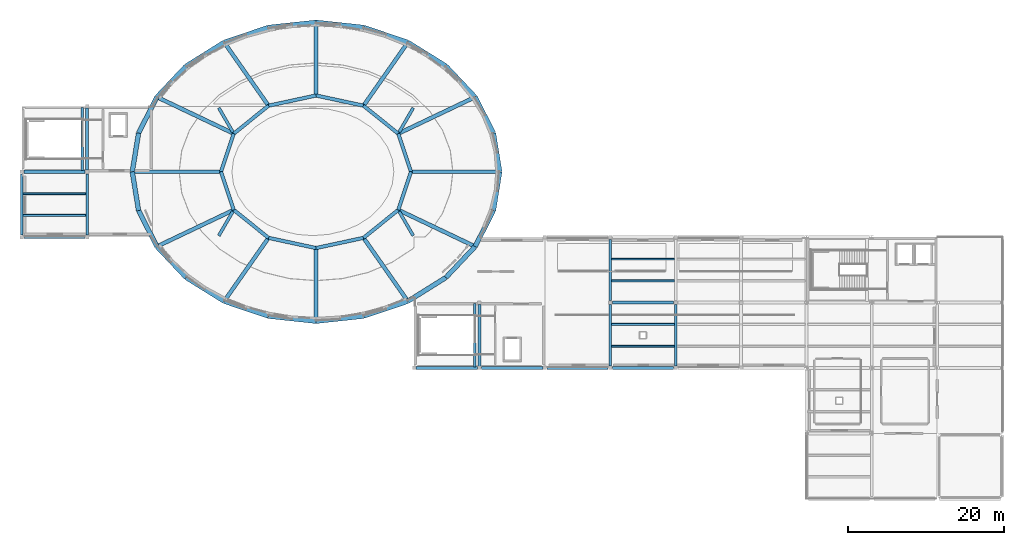
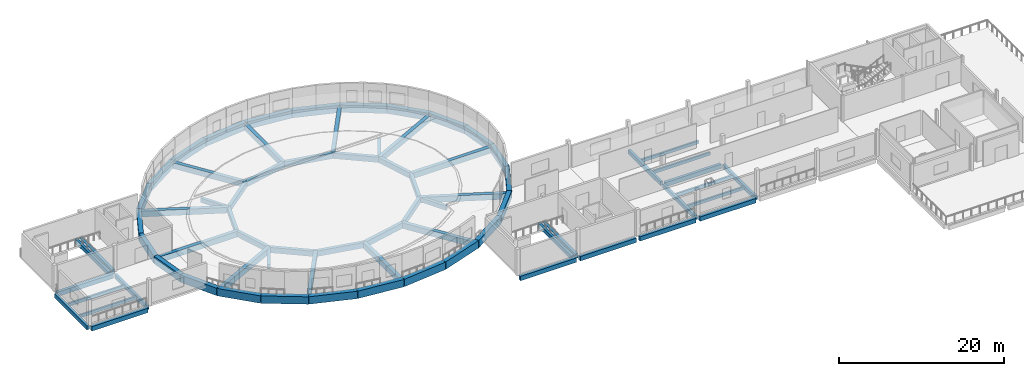
# One storey, part 4 of 16: 74 beams.
"""IFC4 building model written with IfcOpenShell, lengths in metres."""

from ifc_helpers import new_model, si_unit, derived_unit, direction, frame, origin, origin_2d, place, context, subcontext, project, spatial, rectangle, extrude, material, material_profile, profile_set, type_object, element, save


model = new_model("IFC4")

# Units and contexts
model_context = context("Model", 3, precision=1e-05, world=origin(), true_north=direction((0.0, 1.0)))
body_context = subcontext(model_context, "Body", "Model", "MODEL_VIEW")
ifc_project = project(units=[si_unit("LENGTHUNIT", "METRE"), si_unit("AREAUNIT", "SQUARE_METRE"), si_unit("VOLUMEUNIT", "CUBIC_METRE"), si_unit("PLANEANGLEUNIT", "RADIAN"), si_unit("MASSUNIT", "GRAM", prefix="KILO"), derived_unit("THERMALTRANSMITTANCEUNIT", [(si_unit("POWERUNIT", "WATT"), 1), (si_unit("LENGTHUNIT", "METRE"), -2), (si_unit("THERMODYNAMICTEMPERATUREUNIT", "KELVIN"), -1)])], contexts=[model_context])

# Site, building, storey
site_placement = place(None, origin())
site = spatial("IfcSite", under=ifc_project, at=site_placement, CompositionType="ELEMENT")
building_placement = place(site_placement, origin())
building = spatial("IfcBuilding", under=site, at=building_placement, Name="Elbkamm Science Centre", CompositionType="ELEMENT")
storey_placement = place(building_placement, frame((0.0, 0.0, 21.60009765625)))
storey = spatial("IfcBuildingStorey", under=building, at=storey_placement, Name="L05", CompositionType="ELEMENT", Elevation=21.60009765625)

# Beams
ifc_material_1 = material(Name="Concrete C40/50", Category="concrete")
ifc_material_profile_1 = material_profile(ifc_material_1, rectangle(XDim=0.35009765625, YDim=0.60009765625, at=origin_2d()), Name="RC 350x600")
ifc_profile_set_1 = profile_set([ifc_material_profile_1], Name="Concrete C40/50")
beam_type_1 = type_object("IfcBeamType", Name="BM-RC-350x600", PredefinedType="BEAM", material=ifc_profile_set_1)
for number, where, z_axis, x_axis, name in (
    (1, (25.199951171875, 59.074951171875, -0.56005859375), (0.0, 1.0, 0.0), (-1.0, 0.0, 0.0), "L05 Primary Y-Girder 001"),
    (2, (33.60009765625, 59.074951171875, -0.56005859375), (0.0, 1.0, 0.0), (-1.0, 0.0, 0.0), "L05 Primary Y-Girder 002"),
    (3, (100.800048828125, 42.27490234375, -0.56005859375), (0.0, 1.0, 0.0), (-1.0, 0.0, 0.0), "L05 Primary Y-Girder 003"),
):
    element("IfcBeam", number, at=place(storey_placement, frame(where, z_axis=z_axis, x_axis=x_axis)), inside=storey, type_object=beam_type_1, Name=name, PredefinedType="BEAM", context=body_context, shape_type="SweptSolid", body=[
        extrude(rectangle(XDim=0.35009765625, YDim=0.60009765625, at=origin_2d()), origin(), (0.0, 0.0, 1.0), 7.85009765625),
    ])
beam_1_placement = place(storey_placement, frame((100.800048828125, 50.675048828125, -0.56005859375), z_axis=(0.0, 1.0, 0.0), x_axis=(-1.0, 0.0, 0.0)))
element("IfcBeam", 4, at=beam_1_placement, inside=storey, type_object=beam_type_1, Name="L05 Primary Y-Girder 004", PredefinedType="BEAM", context=body_context, shape_type="SweptSolid", body=[
    extrude(rectangle(XDim=0.35009765625, YDim=0.60009765625, at=origin_2d()), origin(), (0.0, 0.0, 1.0), 7.849853515625),
])
beam_2_placement = place(storey_placement, frame((109.199951171875, 42.27490234375, -0.56005859375), z_axis=(0.0, 1.0, 0.0), x_axis=(-1.0, 0.0, 0.0)))
element("IfcBeam", 5, at=beam_2_placement, inside=storey, type_object=beam_type_1, Name="L05 Primary Y-Girder 005", PredefinedType="BEAM", context=body_context, shape_type="SweptSolid", body=[
    extrude(rectangle(XDim=0.35009765625, YDim=0.60009765625, at=origin_2d()), origin(), (0.0, 0.0, 1.0), 7.85009765625),
])
beam_3_placement = place(storey_placement, frame((32.97998046875, 67.35009765625, -0.300048828125), z_axis=(0.0, 1.0, 0.0), x_axis=(-1.0, 0.0, 0.0)))
element("IfcBeam", 6, at=beam_3_placement, inside=storey, type_object=beam_type_1, Name="L05 ST-C1 Landing Trimmer Beam", PredefinedType="BEAM", context=body_context, shape_type="SweptSolid", body=[
    extrude(rectangle(XDim=0.35009765625, YDim=0.60009765625, at=origin_2d()), origin(), (0.0, 0.0, 1.0), 8.099853515625),
])
beam_4_placement = place(storey_placement, frame((83.3798828125, 42.14990234375, -0.300048828125), z_axis=(0.0, 1.0, 0.0), x_axis=(-1.0, 0.0, 0.0)))
element("IfcBeam", 7, at=beam_4_placement, inside=storey, type_object=beam_type_1, Name="L05 ST-C2 Landing Trimmer Beam", PredefinedType="BEAM", context=body_context, shape_type="SweptSolid", body=[
    extrude(rectangle(XDim=0.35009765625, YDim=0.60009765625, at=origin_2d()), origin(), (0.0, 0.0, 1.0), 8.10009765625),
])
ifc_material_profile_2 = material_profile(ifc_material_1, rectangle(XDim=0.39990234375, YDim=0.64990234375, at=origin_2d()), Name="RC 400x650")
ifc_profile_set_2 = profile_set([ifc_material_profile_2], Name="Concrete C40/50")
beam_type_2 = type_object("IfcBeamType", Name="BM-RC-400x650", PredefinedType="BEAM", material=ifc_profile_set_2)
for number, where, z_axis, x_axis, name in (
    (8, (75.875, 42.0, -0.585205078125), (1.0, 0.0, 0.0), (0.0, 1.0, 0.0), "L05 Primary X-Girder 005"),
    (9, (84.27490234375, 42.0, -0.585205078125), (1.0, 0.0, 0.0), (0.0, 1.0, 0.0), "L05 Primary X-Girder 006"),
):
    element("IfcBeam", number, at=place(storey_placement, frame(where, z_axis=z_axis, x_axis=x_axis)), inside=storey, type_object=beam_type_2, Name=name, PredefinedType="BEAM", context=body_context, shape_type="SweptSolid", body=[
        extrude(rectangle(XDim=0.39990234375, YDim=0.64990234375, at=origin_2d()), origin(), (0.0, 0.0, 1.0), 7.85009765625),
    ])
beam_5_placement = place(storey_placement, frame((92.675048828125, 42.0, -0.585205078125), z_axis=(1.0, 0.0, 0.0), x_axis=(0.0, 1.0, 0.0)))
element("IfcBeam", 10, at=beam_5_placement, inside=storey, type_object=beam_type_2, Name="L05 Primary X-Girder 007", PredefinedType="BEAM", context=body_context, shape_type="SweptSolid", body=[
    extrude(rectangle(XDim=0.39990234375, YDim=0.64990234375, at=origin_2d()), origin(), (0.0, 0.0, 1.0), 7.849853515625),
])
for number, where, z_axis, x_axis, name in (
    (11, (101.074951171875, 42.0, -0.585205078125), (1.0, 0.0, 0.0), (0.0, 1.0, 0.0), "L05 Primary X-Girder 008"),
    (12, (101.074951171875, 50.39990234375, -0.585205078125), (1.0, 0.0, 0.0), (0.0, 1.0, 0.0), "L05 Primary X-Girder 014"),
):
    element("IfcBeam", number, at=place(storey_placement, frame(where, z_axis=z_axis, x_axis=x_axis)), inside=storey, type_object=beam_type_2, Name=name, PredefinedType="BEAM", context=body_context, shape_type="SweptSolid", body=[
        extrude(rectangle(XDim=0.39990234375, YDim=0.64990234375, at=origin_2d()), origin(), (0.0, 0.0, 1.0), 7.85009765625),
    ])
for number, where, z_axis, x_axis, name in (
    (13, (25.47509765625, 58.800048828125, -0.585205078125), (1.0, 0.0, 0.0), (0.0, 1.0, 0.0), "L05 Primary X-Girder 020"),
    (14, (25.47509765625, 67.199951171875, -0.585205078125), (1.0, 0.0, 0.0), (0.0, 1.0, 0.0), "L05 Primary X-Girder 026"),
):
    element("IfcBeam", number, at=place(storey_placement, frame(where, z_axis=z_axis, x_axis=x_axis)), inside=storey, type_object=beam_type_2, Name=name, PredefinedType="BEAM", context=body_context, shape_type="SweptSolid", body=[
        extrude(rectangle(XDim=0.39990234375, YDim=0.64990234375, at=origin_2d()), origin(), (0.0, 0.0, 1.0), 7.849853515625),
    ])
beam_6_placement = place(storey_placement, frame((33.60009765625, 75.3798828125, -0.3251953125), z_axis=(0.0, -1.0, 0.0), x_axis=(1.0, 0.0, 0.0)))
element("IfcBeam", 15, at=beam_6_placement, inside=storey, type_object=beam_type_2, Name="L05 Perimeter Ring Tie Girder 068", PredefinedType="BEAM", context=body_context, shape_type="SweptSolid", body=[
    extrude(rectangle(XDim=0.39990234375, YDim=0.64990234375, at=origin_2d()), origin(), (0.0, 0.0, 1.0), 7.9599609375),
])
for number, where, z_axis, x_axis, name in (
    (16, (50.510498046875, 58.990234375, -0.3251953125), (0.502465212806, 0.864597426506, 0.0), (-0.864597426506, 0.502465212806, 0.0), "L05 Perimeter Ring Tie Girder 069"),
    (17, (50.510498046875, 75.409912109375, -0.3251953125), (0.502465212806, -0.864597426506, 0.0), (0.864597426506, 0.502465212806, 0.0), "L05 Perimeter Ring Tie Girder 070"),
    (18, (75.489501953125, 58.990234375, -0.3251953125), (-0.502465212806, 0.864597426506, 0.0), (-0.864597426506, -0.502465212806, 0.0), "L05 Perimeter Ring Tie Girder 071"),
    (19, (75.489501953125, 75.409912109375, -0.3251953125), (-0.502465212806, -0.864597426506, 0.0), (0.864597426506, -0.502465212806, 0.0), "L05 Perimeter Ring Tie Girder 072"),
):
    element("IfcBeam", number, at=place(storey_placement, frame(where, z_axis=z_axis, x_axis=x_axis)), inside=storey, type_object=beam_type_2, Name=name, PredefinedType="BEAM", context=body_context, shape_type="SweptSolid", body=[
        extrude(rectangle(XDim=0.39990234375, YDim=0.64990234375, at=origin_2d()), origin(), (0.0, 0.0, 1.0), 3.608154296875),
    ])
beam_7_placement = place(storey_placement, frame((84.0, 50.179931640625, -0.3251953125), z_axis=(0.0, -1.0, 0.0), x_axis=(1.0, 0.0, 0.0)))
element("IfcBeam", 20, at=beam_7_placement, inside=storey, type_object=beam_type_2, Name="L05 Perimeter Ring Tie Girder 073", PredefinedType="BEAM", context=body_context, shape_type="SweptSolid", body=[
    extrude(rectangle(XDim=0.39990234375, YDim=0.64990234375, at=origin_2d()), origin(), (0.0, 0.0, 1.0), 7.9599609375),
])
ifc_material_profile_3 = material_profile(ifc_material_1, rectangle(XDim=0.449951171875, YDim=0.800048828125, at=origin_2d()), Name="RC 450x800")
ifc_profile_set_3 = profile_set([ifc_material_profile_3], Name="Concrete C40/50")
beam_type_3 = type_object("IfcBeamType", Name="BM-RC-450x800", PredefinedType="BEAM", material=ifc_profile_set_3)
beam_8_placement = place(storey_placement, frame((75.199951171875, 67.199951171875, -0.400146484375), z_axis=(-0.31634119852, 0.948645479681, 0.0), x_axis=(-0.948645479681, -0.31634119852, 0.0)))
element("IfcBeam", 21, at=beam_8_placement, inside=storey, type_object=beam_type_3, Name="L05 Atrium Ring Girder 01", PredefinedType="BEAM", context=body_context, shape_type="SweptSolid", body=[
    extrude(rectangle(XDim=0.449951171875, YDim=0.800048828125, at=origin_2d()), origin(), (0.0, 0.0, 1.0), 5.16552734375),
])
beam_9_placement = place(storey_placement, frame((73.56591796875, 72.10009765625, -0.400146484375), z_axis=(-0.779653109273, 0.626211648887, 0.0), x_axis=(-0.626211648887, -0.779653109273, 0.0)))
element("IfcBeam", 22, at=beam_9_placement, inside=storey, type_object=beam_type_3, Name="L05 Atrium Ring Girder 02", PredefinedType="BEAM", context=body_context, shape_type="SweptSolid", body=[
    extrude(rectangle(XDim=0.449951171875, YDim=0.800048828125, at=origin_2d()), origin(), (0.0, 0.0, 1.0), 5.72802734375),
])
for number, where, z_axis, x_axis, name in (
    (23, (69.10009765625, 75.68701171875, -0.400146484375), (-0.97761076487, 0.210421463759, 0.0), (-0.210421463759, -0.97761076487, 0.0), "L05 Atrium Ring Girder 03"),
    (24, (63.0, 77.0, -0.400146484375), (-0.97761076487, -0.210421463759, 0.0), (0.210421463759, -0.97761076487, 0.0), "L05 Atrium Ring Girder 04"),
):
    element("IfcBeam", number, at=place(storey_placement, frame(where, z_axis=z_axis, x_axis=x_axis)), inside=storey, type_object=beam_type_3, Name=name, PredefinedType="BEAM", context=body_context, shape_type="SweptSolid", body=[
        extrude(rectangle(XDim=0.449951171875, YDim=0.800048828125, at=origin_2d()), origin(), (0.0, 0.0, 1.0), 6.23974609375),
    ])
beam_10_placement = place(storey_placement, frame((56.89990234375, 75.68701171875, -0.400146484375), z_axis=(-0.779653109273, -0.626211648887, 0.0), x_axis=(0.626211648887, -0.779653109273, 0.0)))
element("IfcBeam", 25, at=beam_10_placement, inside=storey, type_object=beam_type_3, Name="L05 Atrium Ring Girder 05", PredefinedType="BEAM", context=body_context, shape_type="SweptSolid", body=[
    extrude(rectangle(XDim=0.449951171875, YDim=0.800048828125, at=origin_2d()), origin(), (0.0, 0.0, 1.0), 5.72802734375),
])
beam_11_placement = place(storey_placement, frame((52.43408203125, 72.10009765625, -0.400146484375), z_axis=(-0.31634119852, -0.948645479681, 0.0), x_axis=(0.948645479681, -0.31634119852, 0.0)))
element("IfcBeam", 26, at=beam_11_placement, inside=storey, type_object=beam_type_3, Name="L05 Atrium Ring Girder 06", PredefinedType="BEAM", context=body_context, shape_type="SweptSolid", body=[
    extrude(rectangle(XDim=0.449951171875, YDim=0.800048828125, at=origin_2d()), origin(), (0.0, 0.0, 1.0), 5.16552734375),
])
beam_12_placement = place(storey_placement, frame((50.800048828125, 67.199951171875, -0.400146484375), z_axis=(0.316355382987, -0.948640749523, 0.0), x_axis=(0.948640749523, 0.316355382987, 0.0)))
element("IfcBeam", 27, at=beam_12_placement, inside=storey, type_object=beam_type_3, Name="L05 Atrium Ring Girder 07", PredefinedType="BEAM", context=body_context, shape_type="SweptSolid", body=[
    extrude(rectangle(XDim=0.449951171875, YDim=0.800048828125, at=origin_2d()), origin(), (0.0, 0.0, 1.0), 5.165283203125),
])
beam_13_placement = place(storey_placement, frame((52.43408203125, 62.300048828125, -0.400146484375), z_axis=(0.779632299843, -0.626237556396, 0.0), x_axis=(0.626237556396, 0.779632299843, 0.0)))
element("IfcBeam", 28, at=beam_13_placement, inside=storey, type_object=beam_type_3, Name="L05 Atrium Ring Girder 08", PredefinedType="BEAM", context=body_context, shape_type="SweptSolid", body=[
    extrude(rectangle(XDim=0.449951171875, YDim=0.800048828125, at=origin_2d()), origin(), (0.0, 0.0, 1.0), 5.72802734375),
])
for number, where, z_axis, x_axis, name in (
    (29, (56.89990234375, 58.712890625, -0.400146484375), (0.97761076487, -0.210421463759, 0.0), (0.210421463759, 0.97761076487, 0.0), "L05 Atrium Ring Girder 09"),
    (30, (63.0, 57.39990234375, -0.400146484375), (0.97761076487, 0.210421463759, 0.0), (-0.210421463759, 0.97761076487, 0.0), "L05 Atrium Ring Girder 10"),
):
    element("IfcBeam", number, at=place(storey_placement, frame(where, z_axis=z_axis, x_axis=x_axis)), inside=storey, type_object=beam_type_3, Name=name, PredefinedType="BEAM", context=body_context, shape_type="SweptSolid", body=[
        extrude(rectangle(XDim=0.449951171875, YDim=0.800048828125, at=origin_2d()), origin(), (0.0, 0.0, 1.0), 6.23974609375),
    ])
beam_14_placement = place(storey_placement, frame((69.10009765625, 58.712890625, -0.400146484375), z_axis=(0.779632299843, 0.626237556396, 0.0), x_axis=(-0.626237556396, 0.779632299843, 0.0)))
element("IfcBeam", 31, at=beam_14_placement, inside=storey, type_object=beam_type_3, Name="L05 Atrium Ring Girder 11", PredefinedType="BEAM", context=body_context, shape_type="SweptSolid", body=[
    extrude(rectangle(XDim=0.449951171875, YDim=0.800048828125, at=origin_2d()), origin(), (0.0, 0.0, 1.0), 5.72802734375),
])
beam_15_placement = place(storey_placement, frame((73.56591796875, 62.300048828125, -0.400146484375), z_axis=(0.316355382987, 0.948640749523, 0.0), x_axis=(-0.948640749523, 0.316355382987, 0.0)))
element("IfcBeam", 32, at=beam_15_placement, inside=storey, type_object=beam_type_3, Name="L05 Atrium Ring Girder 12", PredefinedType="BEAM", context=body_context, shape_type="SweptSolid", body=[
    extrude(rectangle(XDim=0.449951171875, YDim=0.800048828125, at=origin_2d()), origin(), (0.0, 0.0, 1.0), 5.165283203125),
])
ifc_material_profile_4 = material_profile(ifc_material_1, rectangle(XDim=0.5, YDim=0.85009765625, at=origin_2d()), Name="RC 500x850")
ifc_profile_set_4 = profile_set([ifc_material_profile_4], Name="Concrete C40/50")
beam_type_4 = type_object("IfcBeamType", Name="BM-RC-500x850", PredefinedType="BEAM", material=ifc_profile_set_4)
beam_16_placement = place(storey_placement, frame((75.199951171875, 67.199951171875, -0.425048828125), z_axis=(1.0, 0.0, 0.0), x_axis=(0.0, 1.0, 0.0)))
element("IfcBeam", 33, at=beam_16_placement, inside=storey, type_object=beam_type_4, Name="L05 Elliptical Radial Girder 01", PredefinedType="BEAM", context=body_context, shape_type="SweptSolid", body=[
    extrude(rectangle(XDim=0.5, YDim=0.85009765625, at=origin_2d()), origin(), (0.0, 0.0, 1.0), 11.400146484375),
])
beam_17_placement = place(storey_placement, frame((73.56591796875, 72.10009765625, -0.425048828125), z_axis=(0.902897249077, 0.429856438371, 0.0), x_axis=(-0.429856438371, 0.902897249077, 0.0)))
element("IfcBeam", 34, at=beam_17_placement, inside=storey, type_object=beam_type_4, Name="L05 Elliptical Radial Girder 02", PredefinedType="BEAM", context=body_context, shape_type="SweptSolid", body=[
    extrude(rectangle(XDim=0.5, YDim=0.85009765625, at=origin_2d()), origin(), (0.0, 0.0, 1.0), 10.933837890625),
])
beam_18_placement = place(storey_placement, frame((69.10009765625, 75.68701171875, -0.425048828125), z_axis=(0.573553022395, 0.819168438419, 0.0), x_axis=(-0.819168438419, 0.573553022395, 0.0)))
element("IfcBeam", 35, at=beam_18_placement, inside=storey, type_object=beam_type_4, Name="L05 Elliptical Radial Girder 03", PredefinedType="BEAM", context=body_context, shape_type="SweptSolid", body=[
    extrude(rectangle(XDim=0.5, YDim=0.85009765625, at=origin_2d()), origin(), (0.0, 0.0, 1.0), 9.93798828125),
])
beam_19_placement = place(storey_placement, frame((63.0, 77.0, -0.425048828125), z_axis=(0.0, 1.0, 0.0), x_axis=(-1.0, 0.0, 0.0)))
element("IfcBeam", 36, at=beam_19_placement, inside=storey, type_object=beam_type_4, Name="L05 Elliptical Radial Girder 04", PredefinedType="BEAM", context=body_context, shape_type="SweptSolid", body=[
    extrude(rectangle(XDim=0.5, YDim=0.85009765625, at=origin_2d()), origin(), (0.0, 0.0, 1.0), 9.39990234375),
])
beam_20_placement = place(storey_placement, frame((56.89990234375, 75.68701171875, -0.425048828125), z_axis=(-0.573553022395, 0.819168438419, 0.0), x_axis=(-0.819168438419, -0.573553022395, 0.0)))
element("IfcBeam", 37, at=beam_20_placement, inside=storey, type_object=beam_type_4, Name="L05 Elliptical Radial Girder 05", PredefinedType="BEAM", context=body_context, shape_type="SweptSolid", body=[
    extrude(rectangle(XDim=0.5, YDim=0.85009765625, at=origin_2d()), origin(), (0.0, 0.0, 1.0), 9.93798828125),
])
beam_21_placement = place(storey_placement, frame((52.43408203125, 72.10009765625, -0.425048828125), z_axis=(-0.902897249077, 0.429856438371, 0.0), x_axis=(-0.429856438371, -0.902897249077, 0.0)))
element("IfcBeam", 38, at=beam_21_placement, inside=storey, type_object=beam_type_4, Name="L05 Elliptical Radial Girder 06", PredefinedType="BEAM", context=body_context, shape_type="SweptSolid", body=[
    extrude(rectangle(XDim=0.5, YDim=0.85009765625, at=origin_2d()), origin(), (0.0, 0.0, 1.0), 10.933837890625),
])
beam_22_placement = place(storey_placement, frame((50.800048828125, 67.199951171875, -0.425048828125), z_axis=(-1.0, 0.0, 0.0), x_axis=(0.0, -1.0, 0.0)))
element("IfcBeam", 39, at=beam_22_placement, inside=storey, type_object=beam_type_4, Name="L05 Elliptical Radial Girder 07", PredefinedType="BEAM", context=body_context, shape_type="SweptSolid", body=[
    extrude(rectangle(XDim=0.5, YDim=0.85009765625, at=origin_2d()), origin(), (0.0, 0.0, 1.0), 11.400146484375),
])
beam_23_placement = place(storey_placement, frame((52.43408203125, 62.300048828125, -0.425048828125), z_axis=(-0.902897249077, -0.429856438371, 0.0), x_axis=(0.429856438371, -0.902897249077, 0.0)))
element("IfcBeam", 40, at=beam_23_placement, inside=storey, type_object=beam_type_4, Name="L05 Elliptical Radial Girder 08", PredefinedType="BEAM", context=body_context, shape_type="SweptSolid", body=[
    extrude(rectangle(XDim=0.5, YDim=0.85009765625, at=origin_2d()), origin(), (0.0, 0.0, 1.0), 10.933837890625),
])
beam_24_placement = place(storey_placement, frame((56.89990234375, 58.712890625, -0.425048828125), z_axis=(-0.573553022395, -0.819168438419, 0.0), x_axis=(0.819168438419, -0.573553022395, 0.0)))
element("IfcBeam", 41, at=beam_24_placement, inside=storey, type_object=beam_type_4, Name="L05 Elliptical Radial Girder 09", PredefinedType="BEAM", context=body_context, shape_type="SweptSolid", body=[
    extrude(rectangle(XDim=0.5, YDim=0.85009765625, at=origin_2d()), origin(), (0.0, 0.0, 1.0), 9.93798828125),
])
beam_25_placement = place(storey_placement, frame((63.0, 57.39990234375, -0.425048828125), z_axis=(0.0, -1.0, 0.0), x_axis=(1.0, 0.0, 0.0)))
element("IfcBeam", 42, at=beam_25_placement, inside=storey, type_object=beam_type_4, Name="L05 Elliptical Radial Girder 10", PredefinedType="BEAM", context=body_context, shape_type="SweptSolid", body=[
    extrude(rectangle(XDim=0.5, YDim=0.85009765625, at=origin_2d()), origin(), (0.0, 0.0, 1.0), 9.39990234375),
])
beam_26_placement = place(storey_placement, frame((69.10009765625, 58.712890625, -0.425048828125), z_axis=(0.573553022395, -0.819168438419, 0.0), x_axis=(0.819168438419, 0.573553022395, 0.0)))
element("IfcBeam", 43, at=beam_26_placement, inside=storey, type_object=beam_type_4, Name="L05 Elliptical Radial Girder 11", PredefinedType="BEAM", context=body_context, shape_type="SweptSolid", body=[
    extrude(rectangle(XDim=0.5, YDim=0.85009765625, at=origin_2d()), origin(), (0.0, 0.0, 1.0), 9.93798828125),
])
beam_27_placement = place(storey_placement, frame((73.56591796875, 62.300048828125, -0.425048828125), z_axis=(0.902897249077, -0.429856438371, 0.0), x_axis=(0.429856438371, 0.902897249077, 0.0)))
element("IfcBeam", 44, at=beam_27_placement, inside=storey, type_object=beam_type_4, Name="L05 Elliptical Radial Girder 12", PredefinedType="BEAM", context=body_context, shape_type="SweptSolid", body=[
    extrude(rectangle(XDim=0.5, YDim=0.85009765625, at=origin_2d()), origin(), (0.0, 0.0, 1.0), 10.933837890625),
])
ifc_material_profile_5 = material_profile(ifc_material_1, rectangle(XDim=0.25, YDim=0.449951171875, at=origin_2d()), Name="RC 250x450")
ifc_profile_set_5 = profile_set([ifc_material_profile_5], Name="Concrete C40/50")
beam_type_5 = type_object("IfcBeamType", Name="JST-RC-250x450", PredefinedType="JOIST", material=ifc_profile_set_5)
for number, where, z_axis, x_axis, name in (
    (45, (25.3798828125, 61.60009765625, -0.485107421875), (1.0, 0.0, 0.0), (0.0, 1.0, 0.0), "L05 Secondary Floor Joist 001"),
    (46, (25.3798828125, 64.39990234375, -0.485107421875), (1.0, 0.0, 0.0), (0.0, 1.0, 0.0), "L05 Secondary Floor Joist 002"),
    (47, (100.97998046875, 44.800048828125, -0.485107421875), (1.0, 0.0, 0.0), (0.0, 1.0, 0.0), "L05 Secondary Floor Joist 003"),
    (48, (100.97998046875, 47.60009765625, -0.485107421875), (1.0, 0.0, 0.0), (0.0, 1.0, 0.0), "L05 Secondary Floor Joist 004"),
    (49, (100.97998046875, 53.199951171875, -0.485107421875), (1.0, 0.0, 0.0), (0.0, 1.0, 0.0), "L05 Secondary Floor Joist 005"),
    (50, (100.97998046875, 56.0, -0.485107421875), (1.0, 0.0, 0.0), (0.0, 1.0, 0.0), "L05 Secondary Floor Joist 006"),
):
    element("IfcBeam", number, at=place(storey_placement, frame(where, z_axis=z_axis, x_axis=x_axis)), inside=storey, type_object=beam_type_5, Name=name, PredefinedType="JOIST", context=body_context, shape_type="SweptSolid", body=[
        extrude(rectangle(XDim=0.25, YDim=0.449951171875, at=origin_2d()), origin(), (0.0, 0.0, 1.0), 8.0400390625),
    ])
ifc_material_2 = material(Name="Concrete C45/55", Category="concrete")
ifc_material_profile_6 = material_profile(ifc_material_2, rectangle(XDim=0.60009765625, YDim=1.10009765625, at=origin_2d()), Name="RC 600x1100")
ifc_profile_set_6 = profile_set([ifc_material_profile_6], Name="Concrete C45/55")
beam_type_6 = type_object("IfcBeamType", Name="SP-RC-600x1100", PredefinedType="SPANDREL", material=ifc_profile_set_6)
beam_28_placement = place(storey_placement, frame((86.60009765625, 67.199951171875, -0.300048828125), z_axis=(-0.15976460627, 0.987155140078, 0.0), x_axis=(-0.987155140078, -0.15976460627, 0.0)))
element("IfcBeam", 51, at=beam_28_placement, inside=storey, type_object=beam_type_6, Name="L05 Elliptical Shell Perimeter Ring Beam 01", PredefinedType="SPANDREL", context=body_context, shape_type="SweptSolid", body=[
    extrude(rectangle(XDim=0.60009765625, YDim=1.10009765625, at=origin_2d()), origin(), (0.0, 0.0, 1.0), 5.03369140625),
])
beam_29_placement = place(storey_placement, frame((85.7958984375, 72.1689453125, -0.300048828125), z_axis=(-0.453722384609, 0.891143084866, 0.0), x_axis=(-0.891143084866, -0.453722384609, 0.0)))
element("IfcBeam", 52, at=beam_29_placement, inside=storey, type_object=beam_type_6, Name="L05 Elliptical Shell Perimeter Ring Beam 02", PredefinedType="SPANDREL", context=body_context, shape_type="SweptSolid", body=[
    extrude(rectangle(XDim=0.60009765625, YDim=1.10009765625, at=origin_2d()), origin(), (0.0, 0.0, 1.0), 5.19677734375),
])
beam_30_placement = place(storey_placement, frame((83.43798828125, 76.800048828125, -0.300048828125), z_axis=(-0.686144611421, 0.727465169075, 0.0), x_axis=(-0.727465169075, -0.686144611421, 0.0)))
element("IfcBeam", 53, at=beam_30_placement, inside=storey, type_object=beam_type_6, Name="L05 Elliptical Shell Perimeter Ring Beam 03", PredefinedType="SPANDREL", context=body_context, shape_type="SweptSolid", body=[
    extrude(rectangle(XDim=0.60009765625, YDim=1.10009765625, at=origin_2d()), origin(), (0.0, 0.0, 1.0), 5.46533203125),
])
beam_31_placement = place(storey_placement, frame((79.68798828125, 80.77587890625, -0.300048828125), z_axis=(-0.848229099729, 0.529629487824, 0.0), x_axis=(-0.529629487824, -0.848229099729, 0.0)))
element("IfcBeam", 54, at=beam_31_placement, inside=storey, type_object=beam_type_6, Name="L05 Elliptical Shell Perimeter Ring Beam 04", PredefinedType="SPANDREL", context=body_context, shape_type="SweptSolid", body=[
    extrude(rectangle(XDim=0.60009765625, YDim=1.10009765625, at=origin_2d()), origin(), (0.0, 0.0, 1.0), 5.762451171875),
])
beam_32_placement = place(storey_placement, frame((74.800048828125, 83.827880859375, -0.300048828125), z_axis=(-0.947637651085, 0.319347588444, 0.0), x_axis=(-0.319347588444, -0.947637651085, 0.0)))
element("IfcBeam", 55, at=beam_32_placement, inside=storey, type_object=beam_type_6, Name="L05 Elliptical Shell Perimeter Ring Beam 05", PredefinedType="SPANDREL", context=body_context, shape_type="SweptSolid", body=[
    extrude(rectangle(XDim=0.60009765625, YDim=1.10009765625, at=origin_2d()), origin(), (0.0, 0.0, 1.0), 6.006591796875),
])
for number, where, z_axis, x_axis, name in (
    (56, (69.10791015625, 85.74609375, -0.300048828125), (-0.994319674005, 0.106434890358, 0.0), (-0.106434890358, -0.994319674005, 0.0), "L05 Elliptical Shell Perimeter Ring Beam 06"),
    (57, (63.0, 86.39990234375, -0.300048828125), (-0.994319674005, -0.106434890358, 0.0), (0.106434890358, -0.994319674005, 0.0), "L05 Elliptical Shell Perimeter Ring Beam 07"),
):
    element("IfcBeam", number, at=place(storey_placement, frame(where, z_axis=z_axis, x_axis=x_axis)), inside=storey, type_object=beam_type_6, Name=name, PredefinedType="SPANDREL", context=body_context, shape_type="SweptSolid", body=[
        extrude(rectangle(XDim=0.60009765625, YDim=1.10009765625, at=origin_2d()), origin(), (0.0, 0.0, 1.0), 6.142822265625),
    ])
beam_33_placement = place(storey_placement, frame((56.89208984375, 85.74609375, -0.300048828125), z_axis=(-0.947637651085, -0.319347588444, 0.0), x_axis=(0.319347588444, -0.947637651085, 0.0)))
element("IfcBeam", 58, at=beam_33_placement, inside=storey, type_object=beam_type_6, Name="L05 Elliptical Shell Perimeter Ring Beam 08", PredefinedType="SPANDREL", context=body_context, shape_type="SweptSolid", body=[
    extrude(rectangle(XDim=0.60009765625, YDim=1.10009765625, at=origin_2d()), origin(), (0.0, 0.0, 1.0), 6.006591796875),
])
beam_34_placement = place(storey_placement, frame((51.199951171875, 83.827880859375, -0.300048828125), z_axis=(-0.848229099729, -0.529629487824, 0.0), x_axis=(0.529629487824, -0.848229099729, 0.0)))
element("IfcBeam", 59, at=beam_34_placement, inside=storey, type_object=beam_type_6, Name="L05 Elliptical Shell Perimeter Ring Beam 09", PredefinedType="SPANDREL", context=body_context, shape_type="SweptSolid", body=[
    extrude(rectangle(XDim=0.60009765625, YDim=1.10009765625, at=origin_2d()), origin(), (0.0, 0.0, 1.0), 5.762451171875),
])
beam_35_placement = place(storey_placement, frame((46.31201171875, 80.77587890625, -0.300048828125), z_axis=(-0.686144611421, -0.727465169075, 0.0), x_axis=(0.727465169075, -0.686144611421, 0.0)))
element("IfcBeam", 60, at=beam_35_placement, inside=storey, type_object=beam_type_6, Name="L05 Elliptical Shell Perimeter Ring Beam 10", PredefinedType="SPANDREL", context=body_context, shape_type="SweptSolid", body=[
    extrude(rectangle(XDim=0.60009765625, YDim=1.10009765625, at=origin_2d()), origin(), (0.0, 0.0, 1.0), 5.46533203125),
])
beam_36_placement = place(storey_placement, frame((42.56201171875, 76.800048828125, -0.300048828125), z_axis=(-0.453722384609, -0.891143084866, 0.0), x_axis=(0.891143084866, -0.453722384609, 0.0)))
element("IfcBeam", 61, at=beam_36_placement, inside=storey, type_object=beam_type_6, Name="L05 Elliptical Shell Perimeter Ring Beam 11", PredefinedType="SPANDREL", context=body_context, shape_type="SweptSolid", body=[
    extrude(rectangle(XDim=0.60009765625, YDim=1.10009765625, at=origin_2d()), origin(), (0.0, 0.0, 1.0), 5.19677734375),
])
for number, where, z_axis, x_axis, name in (
    (62, (40.2041015625, 72.1689453125, -0.300048828125), (-0.15976460627, -0.987155140078, 0.0), (0.987155140078, -0.15976460627, 0.0), "L05 Elliptical Shell Perimeter Ring Beam 12"),
    (63, (39.39990234375, 67.199951171875, -0.300048828125), (0.15976460627, -0.987155140078, 0.0), (0.987155140078, 0.15976460627, 0.0), "L05 Elliptical Shell Perimeter Ring Beam 13"),
):
    element("IfcBeam", number, at=place(storey_placement, frame(where, z_axis=z_axis, x_axis=x_axis)), inside=storey, type_object=beam_type_6, Name=name, PredefinedType="SPANDREL", context=body_context, shape_type="SweptSolid", body=[
        extrude(rectangle(XDim=0.60009765625, YDim=1.10009765625, at=origin_2d()), origin(), (0.0, 0.0, 1.0), 5.03369140625),
    ])
beam_37_placement = place(storey_placement, frame((40.2041015625, 62.23095703125, -0.300048828125), z_axis=(0.45374138036, -0.891133412991, 0.0), x_axis=(0.891133412991, 0.45374138036, 0.0)))
element("IfcBeam", 64, at=beam_37_placement, inside=storey, type_object=beam_type_6, Name="L05 Elliptical Shell Perimeter Ring Beam 14", PredefinedType="SPANDREL", context=body_context, shape_type="SweptSolid", body=[
    extrude(rectangle(XDim=0.60009765625, YDim=1.10009765625, at=origin_2d()), origin(), (0.0, 0.0, 1.0), 5.196533203125),
])
beam_38_placement = place(storey_placement, frame((42.56201171875, 57.60009765625, -0.300048828125), z_axis=(0.686122314522, -0.727486198848, 0.0), x_axis=(0.727486198848, 0.686122314522, 0.0)))
element("IfcBeam", 65, at=beam_38_placement, inside=storey, type_object=beam_type_6, Name="L05 Elliptical Shell Perimeter Ring Beam 15", PredefinedType="SPANDREL", context=body_context, shape_type="SweptSolid", body=[
    extrude(rectangle(XDim=0.60009765625, YDim=1.10009765625, at=origin_2d()), origin(), (0.0, 0.0, 1.0), 5.465576171875),
])
beam_39_placement = place(storey_placement, frame((46.31201171875, 53.6240234375, -0.300048828125), z_axis=(0.848229099729, -0.529629487824, 0.0), x_axis=(0.529629487824, 0.848229099729, 0.0)))
element("IfcBeam", 66, at=beam_39_placement, inside=storey, type_object=beam_type_6, Name="L05 Elliptical Shell Perimeter Ring Beam 16", PredefinedType="SPANDREL", context=body_context, shape_type="SweptSolid", body=[
    extrude(rectangle(XDim=0.60009765625, YDim=1.10009765625, at=origin_2d()), origin(), (0.0, 0.0, 1.0), 5.762451171875),
])
beam_40_placement = place(storey_placement, frame((51.199951171875, 50.572021484375, -0.300048828125), z_axis=(0.947649950761, -0.319311087848, 0.0), x_axis=(0.319311087848, 0.947649950761, 0.0)))
element("IfcBeam", 67, at=beam_40_placement, inside=storey, type_object=beam_type_6, Name="L05 Elliptical Shell Perimeter Ring Beam 17", PredefinedType="SPANDREL", context=body_context, shape_type="SweptSolid", body=[
    extrude(rectangle(XDim=0.60009765625, YDim=1.10009765625, at=origin_2d()), origin(), (0.0, 0.0, 1.0), 6.006591796875),
])
for number, where, z_axis, x_axis, name in (
    (68, (56.89208984375, 48.654052734375, -0.300048828125), (0.994315467109, -0.106474184043, 0.0), (0.106474184043, 0.994315467109, 0.0), "L05 Elliptical Shell Perimeter Ring Beam 18"),
    (69, (63.0, 48.0, -0.300048828125), (0.994315467109, 0.106474184043, 0.0), (-0.106474184043, 0.994315467109, 0.0), "L05 Elliptical Shell Perimeter Ring Beam 19"),
):
    element("IfcBeam", number, at=place(storey_placement, frame(where, z_axis=z_axis, x_axis=x_axis)), inside=storey, type_object=beam_type_6, Name=name, PredefinedType="SPANDREL", context=body_context, shape_type="SweptSolid", body=[
        extrude(rectangle(XDim=0.60009765625, YDim=1.10009765625, at=origin_2d()), origin(), (0.0, 0.0, 1.0), 6.142822265625),
    ])
beam_41_placement = place(storey_placement, frame((69.10791015625, 48.654052734375, -0.300048828125), z_axis=(0.947649950761, 0.319311087848, 0.0), x_axis=(-0.319311087848, 0.947649950761, 0.0)))
element("IfcBeam", 70, at=beam_41_placement, inside=storey, type_object=beam_type_6, Name="L05 Elliptical Shell Perimeter Ring Beam 20", PredefinedType="SPANDREL", context=body_context, shape_type="SweptSolid", body=[
    extrude(rectangle(XDim=0.60009765625, YDim=1.10009765625, at=origin_2d()), origin(), (0.0, 0.0, 1.0), 6.006591796875),
])
beam_42_placement = place(storey_placement, frame((74.800048828125, 50.572021484375, -0.300048828125), z_axis=(0.848229099729, 0.529629487824, 0.0), x_axis=(-0.529629487824, 0.848229099729, 0.0)))
element("IfcBeam", 71, at=beam_42_placement, inside=storey, type_object=beam_type_6, Name="L05 Elliptical Shell Perimeter Ring Beam 21", PredefinedType="SPANDREL", context=body_context, shape_type="SweptSolid", body=[
    extrude(rectangle(XDim=0.60009765625, YDim=1.10009765625, at=origin_2d()), origin(), (0.0, 0.0, 1.0), 5.762451171875),
])
beam_43_placement = place(storey_placement, frame((79.68798828125, 53.6240234375, -0.300048828125), z_axis=(0.686122314522, 0.727486198848, 0.0), x_axis=(-0.727486198848, 0.686122314522, 0.0)))
element("IfcBeam", 72, at=beam_43_placement, inside=storey, type_object=beam_type_6, Name="L05 Elliptical Shell Perimeter Ring Beam 22", PredefinedType="SPANDREL", context=body_context, shape_type="SweptSolid", body=[
    extrude(rectangle(XDim=0.60009765625, YDim=1.10009765625, at=origin_2d()), origin(), (0.0, 0.0, 1.0), 5.465576171875),
])
beam_44_placement = place(storey_placement, frame((83.43798828125, 57.60009765625, -0.300048828125), z_axis=(0.45374138036, 0.891133412991, 0.0), x_axis=(-0.891133412991, 0.45374138036, 0.0)))
element("IfcBeam", 73, at=beam_44_placement, inside=storey, type_object=beam_type_6, Name="L05 Elliptical Shell Perimeter Ring Beam 23", PredefinedType="SPANDREL", context=body_context, shape_type="SweptSolid", body=[
    extrude(rectangle(XDim=0.60009765625, YDim=1.10009765625, at=origin_2d()), origin(), (0.0, 0.0, 1.0), 5.196533203125),
])
beam_45_placement = place(storey_placement, frame((85.7958984375, 62.23095703125, -0.300048828125), z_axis=(0.15976460627, 0.987155140078, 0.0), x_axis=(-0.987155140078, 0.15976460627, 0.0)))
element("IfcBeam", 74, at=beam_45_placement, inside=storey, type_object=beam_type_6, Name="L05 Elliptical Shell Perimeter Ring Beam 24", PredefinedType="SPANDREL", context=body_context, shape_type="SweptSolid", body=[
    extrude(rectangle(XDim=0.60009765625, YDim=1.10009765625, at=origin_2d()), origin(), (0.0, 0.0, 1.0), 5.03369140625),
])

save(model, "model.ifc")
